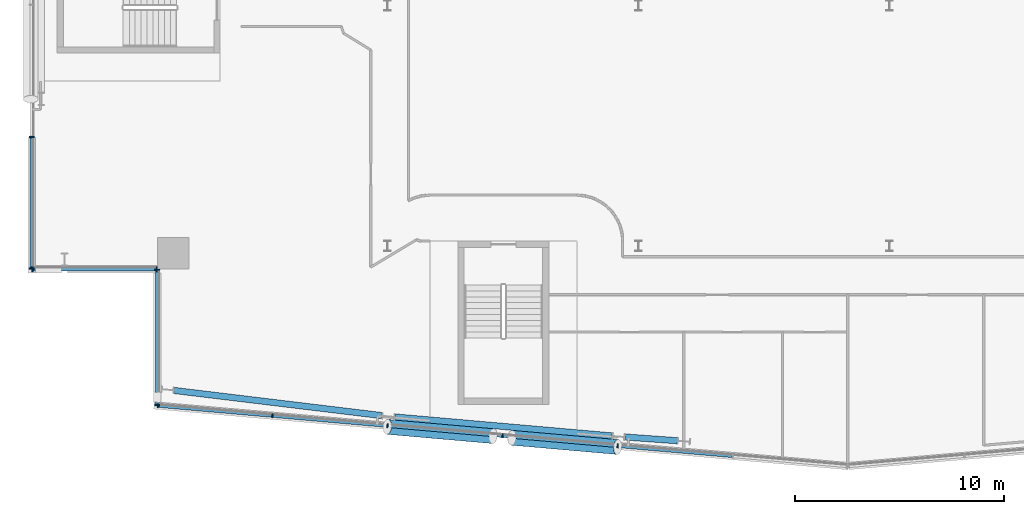
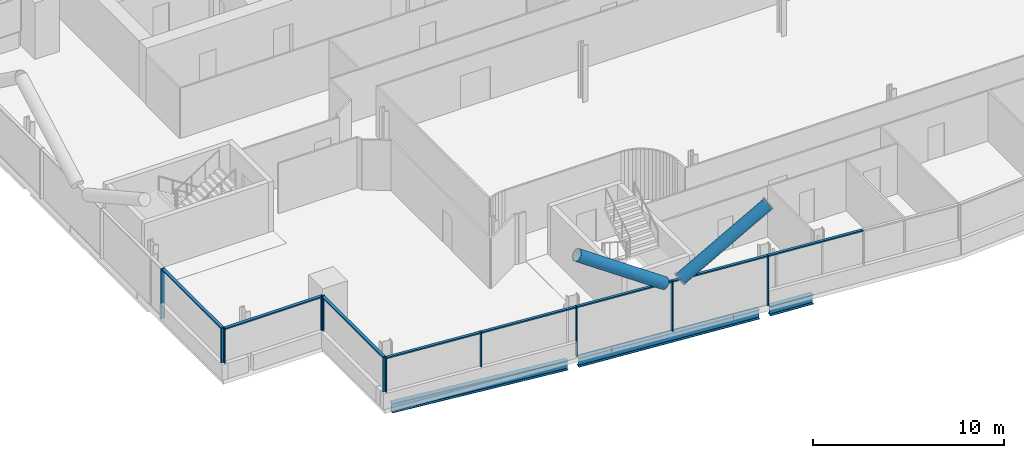
# One storey, part 6 of 27: 21 members, 3 beams, 4 elements without a shape of their own.
"""IFC4 building model written with IfcOpenShell, lengths in metres."""

from ifc_helpers import new_model, si_unit, direction, frame, origin, origin_2d, place, context, subcontext, project, spatial, rectangle, hollow_circle, i_section, extrude, material, material_profile, profile_set, type_object, element, aggregate, save


model = new_model("IFC4")

# Units and contexts
model_context = context("Model", 3, precision=1e-05, world=origin(), true_north=direction((0.0, 1.0)))
body_context = subcontext(model_context, "Body", "Model", "MODEL_VIEW")
ifc_project = project(units=[si_unit("LENGTHUNIT", "METRE"), si_unit("AREAUNIT", "SQUARE_METRE"), si_unit("VOLUMEUNIT", "CUBIC_METRE"), si_unit("PLANEANGLEUNIT", "RADIAN"), si_unit("MASSUNIT", "GRAM", prefix="KILO")], contexts=[model_context])

# Site, building, storey
site_placement = place(None, origin())
site = spatial("IfcSite", under=ifc_project, at=site_placement, CompositionType="ELEMENT")
building_placement = place(site_placement, origin())
building = spatial("IfcBuilding", under=site, at=building_placement, Name="Wharfspan Tower", CompositionType="ELEMENT")
storey_placement = place(building_placement, frame((0.0, 0.0, 159.100098)))
storey = spatial("IfcBuildingStorey", under=building, at=storey_placement, Name="L38", CompositionType="ELEMENT", Elevation=159.100098)

# Beams
ifc_material_1 = material(Name="Steel S355J2", Category="steel")
ifc_material_profile_1 = material_profile(ifc_material_1, i_section(OverallWidth=0.300049, OverallDepth=0.600098, WebThickness=0.015381, FlangeThickness=0.030029, FilletRadius=0.0271, at=origin_2d()))
ifc_profile_set_1 = profile_set([ifc_material_profile_1], Name="Steel S355J2")
beam_type = type_object("IfcBeamType", Name="Edge beam HEB 600", PredefinedType="SPANDREL", material=ifc_profile_set_1)
beam_1_placement = place(storey_placement, frame((13.794678, 4.600586, -0.700195), z_axis=(0.992758, -0.12013, 0.0), x_axis=(0.12013, 0.992758, 0.0)))
element("IfcBeam", 1, at=beam_1_placement, inside=storey, type_object=beam_type, Name="Edge beam S1 L38 PS1.1 to PS1.2", PredefinedType="SPANDREL", context=body_context, shape_type="SweptSolid", body=[
    extrude(i_section(OverallWidth=0.300049, OverallDepth=0.600098, WebThickness=0.015381, FlangeThickness=0.030029, FilletRadius=0.0271, at=origin_2d()), origin(), (0.0, 0.0, 1.0), 10.013184),
])
beam_2_placement = place(storey_placement, frame((24.343994, 3.334229, -0.700195), z_axis=(0.996196, -0.087146, 0.0), x_axis=(0.087146, 0.996196, 0.0)))
element("IfcBeam", 2, at=beam_2_placement, inside=storey, type_object=beam_type, Name="Edge beam S1 L38 PS1.2 to PS1.3", PredefinedType="SPANDREL", context=body_context, shape_type="SweptSolid", body=[
    extrude(i_section(OverallWidth=0.300049, OverallDepth=0.600098, WebThickness=0.015381, FlangeThickness=0.030029, FilletRadius=0.0271, at=origin_2d()), origin(), (0.0, 0.0, 1.0), 10.430176),
])
beam_3_placement = place(storey_placement, frame((35.344482, 2.376709, -0.700195), z_axis=(0.997423, -0.07175, 0.0), x_axis=(0.07175, 0.997423, 0.0)))
element("IfcBeam", 3, at=beam_3_placement, inside=storey, type_object=beam_type, Name="Edge beam S1 L38 PS1.3 to PS1.4", PredefinedType="SPANDREL", context=body_context, shape_type="SweptSolid", body=[
    extrude(i_section(OverallWidth=0.300049, OverallDepth=0.600098, WebThickness=0.015381, FlangeThickness=0.030029, FilletRadius=0.0271, at=origin_2d()), origin(), (0.0, 0.0, 1.0), 2.518066),
])

# Curtain wall, members
ifc_material_2 = material(Name="Aluminium 6063-T6", Category="aluminium")
curtain_wall_type_1 = type_object("IfcCurtainWallType", Name="CURTAIN WALL FACETED FRONT", PredefinedType="NOTDEFINED", material=ifc_material_2)
curtain_wall_1_placement = place(storey_placement, origin())
curtain_wall_1 = element("IfcCurtainWall", 4, at=curtain_wall_1_placement, inside=storey, type_object=curtain_wall_type_1, Name="Curtain wall S1", PredefinedType="NOTDEFINED")
ifc_material_profile_2 = material_profile(ifc_material_2, rectangle(XDim=0.199951, YDim=0.060059, at=origin_2d()))
ifc_profile_set_2 = profile_set([ifc_material_profile_2], Name="Aluminium 6063-T6")
member_type_1 = type_object("IfcMemberType", Name="MULLION FACETED FRONT 60x200", PredefinedType="MULLION", material=ifc_profile_set_2)
member_1_placement = place(storey_placement, frame((13.029785, 3.872559, 1.0), z_axis=(0.0, 0.0, 1.0), x_axis=(0.087156, 0.996198, 0.0)))
member_1 = element("IfcMember", 5, at=member_1_placement, type_object=member_type_1, Name="Curtain wall S1 mullion 1", PredefinedType="MULLION", context=body_context, shape_type="SweptSolid", body=[
    extrude(rectangle(XDim=0.199951, YDim=0.060059, at=origin_2d()), origin(), (0.0, 0.0, 1.0), 2.199951),
])
member_2_placement = place(storey_placement, frame((18.5, 3.393799, 1.0), z_axis=(0.0, 0.0, 1.0), x_axis=(0.087156, 0.996198, 0.0)))
member_2 = element("IfcMember", 6, at=member_2_placement, type_object=member_type_1, Name="Curtain wall S1 mullion 2", PredefinedType="MULLION", context=body_context, shape_type="SweptSolid", body=[
    extrude(rectangle(XDim=0.199951, YDim=0.060059, at=origin_2d()), origin(), (0.0, 0.0, 1.0), 2.199951),
])
member_3_placement = place(storey_placement, frame((24.0, 2.912598, 0.0), z_axis=(0.0, 0.0, 1.0), x_axis=(0.087156, 0.996198, 0.0)))
member_3 = element("IfcMember", 7, at=member_3_placement, type_object=member_type_1, Name="Curtain wall S1 mullion 3", PredefinedType="MULLION", context=body_context, shape_type="SweptSolid", body=[
    extrude(rectangle(XDim=0.199951, YDim=0.060059, at=origin_2d()), origin(), (0.0, 0.0, 1.0), 3.199951),
])
member_4_placement = place(storey_placement, frame((29.5, 2.431396, 0.0), z_axis=(0.0, 0.0, 1.0), x_axis=(0.087156, 0.996198, 0.0)))
member_4 = element("IfcMember", 8, at=member_4_placement, type_object=member_type_1, Name="Curtain wall S1 mullion 4", PredefinedType="MULLION", context=body_context, shape_type="SweptSolid", body=[
    extrude(rectangle(XDim=0.199951, YDim=0.060059, at=origin_2d()), origin(), (0.0, 0.0, 1.0), 3.199951),
])
member_5_placement = place(storey_placement, frame((35.0, 1.950195, 0.0), z_axis=(0.0, 0.0, 1.0), x_axis=(0.087156, 0.996198, 0.0)))
member_5 = element("IfcMember", 9, at=member_5_placement, type_object=member_type_1, Name="Curtain wall S1 mullion 5", PredefinedType="MULLION", context=body_context, shape_type="SweptSolid", body=[
    extrude(rectangle(XDim=0.199951, YDim=0.060059, at=origin_2d()), origin(), (0.0, 0.0, 1.0), 3.199951),
])

curtain_wall_type_2 = type_object("IfcCurtainWallType", Name="CURTAIN WALL PROW AND END", PredefinedType="NOTDEFINED", material=ifc_material_2)
curtain_wall_2_placement = place(storey_placement, origin())
curtain_wall_2 = element("IfcCurtainWall", 10, at=curtain_wall_2_placement, inside=storey, type_object=curtain_wall_type_2, Name="Curtain wall W", PredefinedType="NOTDEFINED")
ifc_material_profile_3 = material_profile(ifc_material_2, rectangle(XDim=0.23999, YDim=0.060059, at=origin_2d()))
ifc_profile_set_3 = profile_set([ifc_material_profile_3], Name="Aluminium 6063-T6")
member_type_2 = type_object("IfcMemberType", Name="MULLION PROW AND END 60x240", PredefinedType="MULLION", material=ifc_profile_set_3)
member_6_placement = place(storey_placement, frame((7.0, 16.719971, 0.0), z_axis=(0.0, 0.0, 1.0), x_axis=(1.0, 0.0, 0.0)))
member_6 = element("IfcMember", 11, at=member_6_placement, type_object=member_type_2, Name="Curtain wall W mullion 5", PredefinedType="MULLION", context=body_context, shape_type="SweptSolid", body=[
    extrude(rectangle(XDim=0.23999, YDim=0.060059, at=origin_2d()), origin(), (0.0, 0.0, 1.0), 3.199951),
])
member_7_placement = place(storey_placement, frame((7.0, 10.429932, 1.0), z_axis=(0.0, 0.0, 1.0), x_axis=(1.0, 0.0, 0.0)))
member_7 = element("IfcMember", 12, at=member_7_placement, type_object=member_type_2, Name="Curtain wall W mullion 6", PredefinedType="MULLION", context=body_context, shape_type="SweptSolid", body=[
    extrude(rectangle(XDim=0.23999, YDim=0.060059, at=origin_2d()), origin(), (0.0, 0.0, 1.0), 2.199951),
])

curtain_wall_3_placement = place(storey_placement, origin())
curtain_wall_3 = element("IfcCurtainWall", 13, at=curtain_wall_3_placement, inside=storey, type_object=curtain_wall_type_2, Name="Curtain wall NFW-H", PredefinedType="NOTDEFINED")
member_8_placement = place(storey_placement, frame((7.030029, 10.399902, 1.0), z_axis=(0.0, 0.0, 1.0), x_axis=(0.0, 1.0, 0.0)))
member_8 = element("IfcMember", 14, at=member_8_placement, type_object=member_type_2, Name="Curtain wall NFW-H mullion 1", PredefinedType="MULLION", context=body_context, shape_type="SweptSolid", body=[
    extrude(rectangle(XDim=0.23999, YDim=0.060059, at=origin_2d()), origin(), (0.0, 0.0, 1.0), 2.199951),
])
member_9_placement = place(storey_placement, frame((12.969971, 10.399902, 1.0), z_axis=(0.0, 0.0, 1.0), x_axis=(0.0, 1.0, 0.0)))
member_9 = element("IfcMember", 15, at=member_9_placement, type_object=member_type_2, Name="Curtain wall NFW-H mullion 2", PredefinedType="MULLION", context=body_context, shape_type="SweptSolid", body=[
    extrude(rectangle(XDim=0.23999, YDim=0.060059, at=origin_2d()), origin(), (0.0, 0.0, 1.0), 2.199951),
])

curtain_wall_4_placement = place(storey_placement, origin())
curtain_wall_4 = element("IfcCurtainWall", 16, at=curtain_wall_4_placement, inside=storey, type_object=curtain_wall_type_2, Name="Curtain wall NFW-V", PredefinedType="NOTDEFINED")
member_10_placement = place(storey_placement, frame((13.0, 10.370117, 1.0), z_axis=(0.0, 0.0, 1.0), x_axis=(1.0, 0.0, 0.0)))
member_10 = element("IfcMember", 17, at=member_10_placement, type_object=member_type_2, Name="Curtain wall NFW-V mullion 1", PredefinedType="MULLION", context=body_context, shape_type="SweptSolid", body=[
    extrude(rectangle(XDim=0.23999, YDim=0.060059, at=origin_2d()), origin(), (0.0, 0.0, 1.0), 2.199951),
])
member_11_placement = place(storey_placement, frame((13.0, 3.905029, 1.0), z_axis=(0.0, 0.0, 1.0), x_axis=(1.0, 0.0, 0.0)))
member_11 = element("IfcMember", 18, at=member_11_placement, type_object=member_type_2, Name="Curtain wall NFW-V mullion 2", PredefinedType="MULLION", context=body_context, shape_type="SweptSolid", body=[
    extrude(rectangle(XDim=0.23999, YDim=0.060059, at=origin_2d()), origin(), (0.0, 0.0, 1.0), 2.199951),
])

# Members
ifc_material_3 = material(Name="Steel S460NH", Category="steel")
ifc_material_profile_4 = material_profile(ifc_material_3, hollow_circle(Radius=0.355469, WallThickness=0.035889, at=origin_2d()))
ifc_profile_set_4 = profile_set([ifc_material_profile_4], Name="Steel S460NH")
member_type_3 = type_object("IfcMemberType", Name="Mega brace CHS 711x36", PredefinedType="BRACE", material=ifc_profile_set_4)
for number, where, z_axis, x_axis, name in (
    (19, (29.947021, 2.337158, 3.195801), (0.834469, -0.073006, 0.546197), (0.087156, 0.996198, -1e-06), "Mega brace S1 L38 part 2"),
    (20, (29.043213, 2.41626, 3.195801), (-0.834469, 0.073006, 0.546197), (-0.087156, -0.996198, -1e-06), "Mega brace S1 L38 part 4"),
):
    element("IfcMember", number, at=place(storey_placement, frame(where, z_axis=z_axis, x_axis=x_axis)), inside=storey, type_object=member_type_3, Name=name, PredefinedType="BRACE", context=body_context, shape_type="SweptSolid", body=[
        extrude(hollow_circle(Radius=0.355469, WallThickness=0.035889, at=origin_2d()), origin(), (0.0, 0.0, 1.0), 6.049561),
    ])

# Member
ifc_material_profile_5 = material_profile(ifc_material_2, rectangle(XDim=0.159912, YDim=0.080078, at=origin_2d()))
ifc_profile_set_5 = profile_set([ifc_material_profile_5], Name="Aluminium 6063-T6")
member_type_4 = type_object("IfcMemberType", Name="TRANSOM FACETED FRONT 80x160", PredefinedType="USERDEFINED", material=ifc_profile_set_5)
member_12_placement = place(storey_placement, frame((13.059814, 3.869873, 3.159912), z_axis=(0.996194, -0.087163, 0.0), x_axis=(0.087163, 0.996194, 0.0)))
member_12 = element("IfcMember", 21, at=member_12_placement, type_object=member_type_4, Name="Curtain wall S1 transom 1", ObjectType="TRANSOM", PredefinedType="USERDEFINED", context=body_context, shape_type="SweptSolid", body=[
    extrude(rectangle(XDim=0.159912, YDim=0.080078, at=origin_2d()), origin(), (0.0, 0.0, 1.0), 5.431152),
])

member_13_placement = place(storey_placement, frame((18.529785, 3.391357, 3.159912), z_axis=(0.996193, -0.087174, 0.0), x_axis=(0.087174, 0.996193, 0.0)))
member_13 = element("IfcMember", 22, at=member_13_placement, type_object=member_type_4, Name="Curtain wall S1 transom 2", ObjectType="TRANSOM", PredefinedType="USERDEFINED", context=body_context, shape_type="SweptSolid", body=[
    extrude(rectangle(XDim=0.159912, YDim=0.080078, at=origin_2d()), origin(), (0.0, 0.0, 1.0), 5.461182),
])

member_14_placement = place(storey_placement, frame((24.029785, 2.910156, 3.159912), z_axis=(0.996193, -0.087174, 0.0), x_axis=(0.087174, 0.996193, 0.0)))
member_14 = element("IfcMember", 23, at=member_14_placement, type_object=member_type_4, Name="Curtain wall S1 transom 3", ObjectType="TRANSOM", PredefinedType="USERDEFINED", context=body_context, shape_type="SweptSolid", body=[
    extrude(rectangle(XDim=0.159912, YDim=0.080078, at=origin_2d()), origin(), (0.0, 0.0, 1.0), 5.461182),
])

member_15_placement = place(storey_placement, frame((29.529785, 2.428955, 3.159912), z_axis=(0.996193, -0.087174, 0.0), x_axis=(0.087174, 0.996193, 0.0)))
member_15 = element("IfcMember", 24, at=member_15_placement, type_object=member_type_4, Name="Curtain wall S1 transom 4", ObjectType="TRANSOM", PredefinedType="USERDEFINED", context=body_context, shape_type="SweptSolid", body=[
    extrude(rectangle(XDim=0.159912, YDim=0.080078, at=origin_2d()), origin(), (0.0, 0.0, 1.0), 5.461182),
])

member_16_placement = place(storey_placement, frame((35.029785, 1.947754, 3.159912), z_axis=(0.996193, -0.087174, 0.0), x_axis=(0.087174, 0.996193, 0.0)))
member_16 = element("IfcMember", 25, at=member_16_placement, type_object=member_type_4, Name="Curtain wall S1 transom 5", ObjectType="TRANSOM", PredefinedType="USERDEFINED", context=body_context, shape_type="SweptSolid", body=[
    extrude(rectangle(XDim=0.159912, YDim=0.080078, at=origin_2d()), origin(), (0.0, 0.0, 1.0), 5.461182),
])

aggregate(curtain_wall_1, [member_1, member_2, member_3, member_4, member_5, member_12, member_13, member_14, member_15, member_16])

ifc_material_profile_6 = material_profile(ifc_material_2, rectangle(XDim=0.179932, YDim=0.080078, at=origin_2d()))
ifc_profile_set_6 = profile_set([ifc_material_profile_6], Name="Aluminium 6063-T6")
member_type_5 = type_object("IfcMemberType", Name="TRANSOM PROW AND END 80x180", PredefinedType="USERDEFINED", material=ifc_profile_set_6)
member_17_placement = place(storey_placement, frame((7.0, 16.689941, 3.159912), z_axis=(0.0, -1.0, 0.0), x_axis=(1.0, 0.0, 0.0)))
member_17 = element("IfcMember", 26, at=member_17_placement, type_object=member_type_5, Name="Curtain wall W transom 5", ObjectType="TRANSOM", PredefinedType="USERDEFINED", context=body_context, shape_type="SweptSolid", body=[
    extrude(rectangle(XDim=0.179932, YDim=0.080078, at=origin_2d()), origin(), (0.0, 0.0, 1.0), 6.22998),
])

aggregate(curtain_wall_2, [member_6, member_7, member_17])

member_18_placement = place(storey_placement, frame((7.060059, 10.399902, 3.159912), z_axis=(1.0, 0.0, 0.0), x_axis=(0.0, 1.0, 0.0)))
member_18 = element("IfcMember", 27, at=member_18_placement, type_object=member_type_5, Name="Curtain wall NFW-H transom 1", ObjectType="TRANSOM", PredefinedType="USERDEFINED", context=body_context, shape_type="SweptSolid", body=[
    extrude(rectangle(XDim=0.179932, YDim=0.080078, at=origin_2d()), origin(), (0.0, 0.0, 1.0), 5.879883),
])

aggregate(curtain_wall_3, [member_8, member_9, member_18])

member_19_placement = place(storey_placement, frame((13.0, 10.340088, 3.159912), z_axis=(0.0, -1.0, 0.0), x_axis=(1.0, 0.0, 0.0)))
member_19 = element("IfcMember", 28, at=member_19_placement, type_object=member_type_5, Name="Curtain wall NFW-V transom 1", ObjectType="TRANSOM", PredefinedType="USERDEFINED", context=body_context, shape_type="SweptSolid", body=[
    extrude(rectangle(XDim=0.179932, YDim=0.080078, at=origin_2d()), origin(), (0.0, 0.0, 1.0), 6.405029),
])

aggregate(curtain_wall_4, [member_10, member_11, member_19])

save(model, "model.ifc")
